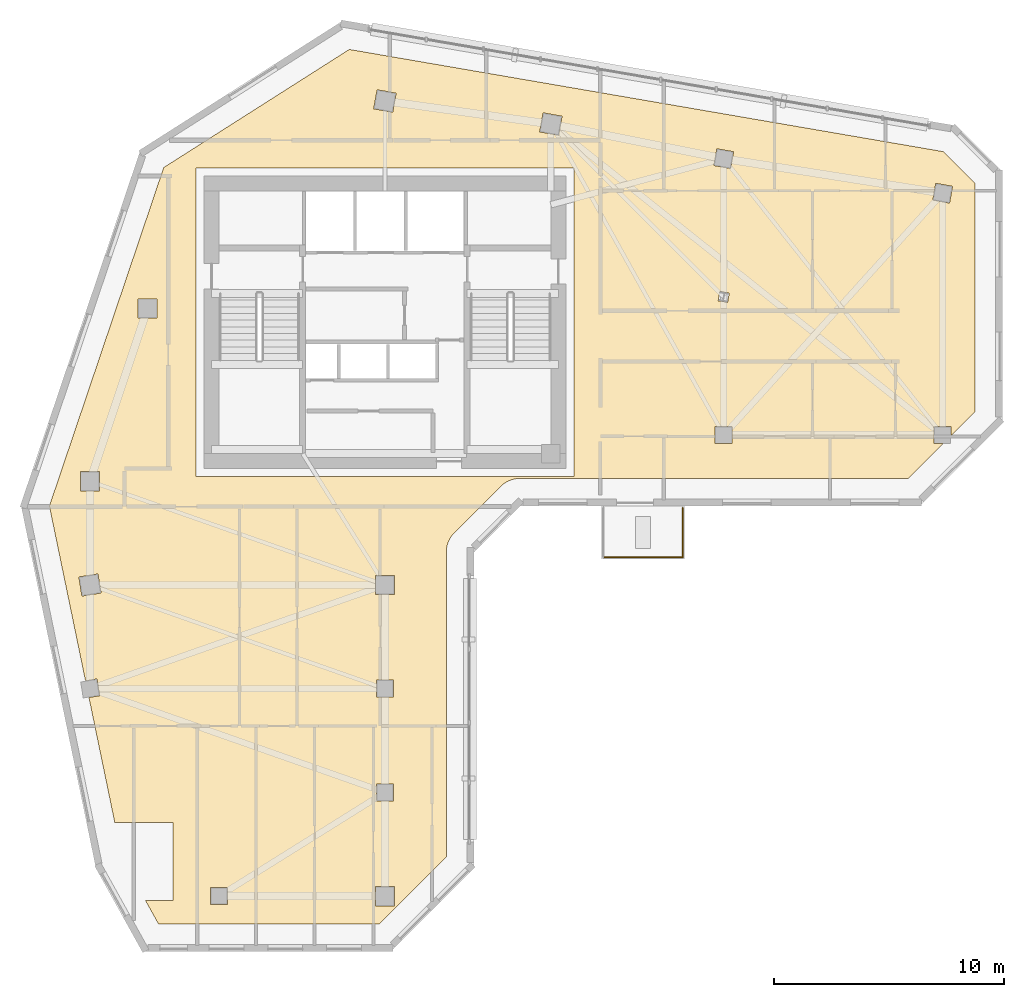
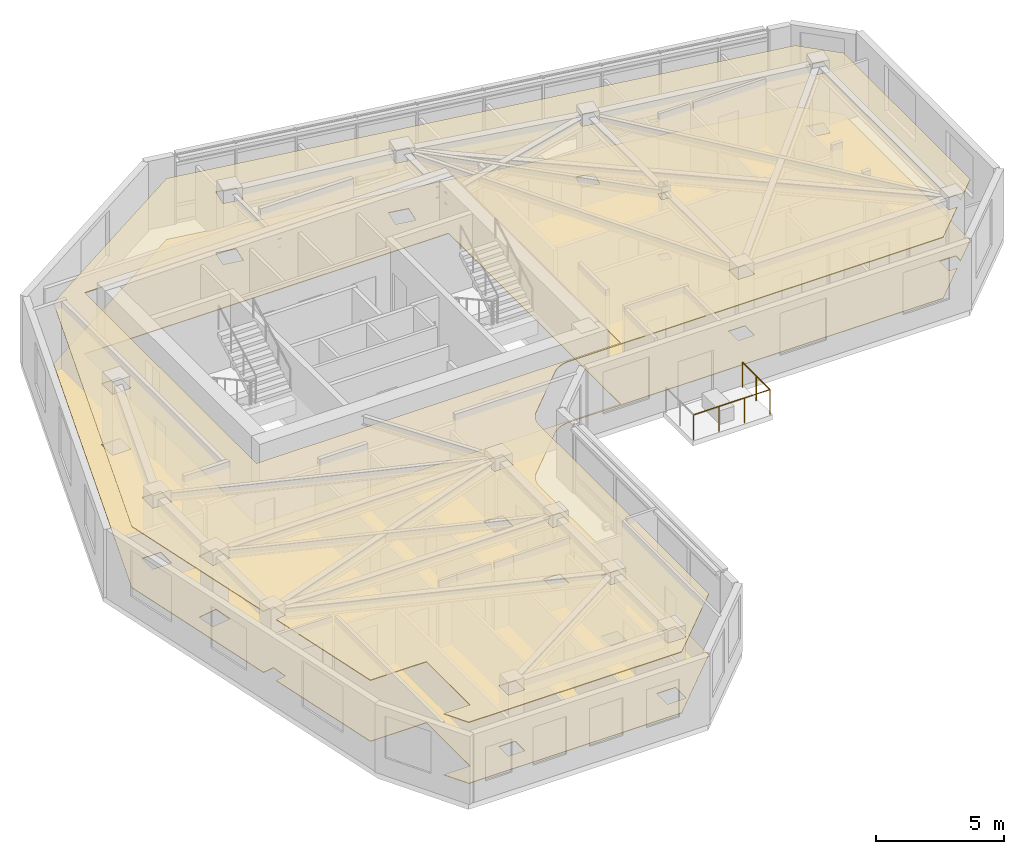
# One storey, part 10 of 11: 2 coverings, 2 railings.
"""IFC4 building model written with IfcOpenShell, lengths in metres."""

from ifc_helpers import new_model, si_unit, direction, frame, origin, origin_2d, place, context, subcontext, project, spatial, polyline, circle, outline, extrude, material, layer, layer_set, type_object, element, save


model = new_model("IFC4")

# Units and contexts
model_context = context("Model", 3, precision=1e-05, world=origin(), true_north=direction((0.0, 1.0)))
body_context = subcontext(model_context, "Body", "Model", "MODEL_VIEW")
ifc_project = project(units=[si_unit("LENGTHUNIT", "METRE"), si_unit("AREAUNIT", "SQUARE_METRE"), si_unit("VOLUMEUNIT", "CUBIC_METRE"), si_unit("PLANEANGLEUNIT", "RADIAN"), si_unit("MASSUNIT", "GRAM", prefix="KILO")], contexts=[model_context])

# Site, building, storey
site_placement = place(None, origin())
site = spatial("IfcSite", under=ifc_project, at=site_placement, CompositionType="ELEMENT")
building_placement = place(site_placement, origin())
building = spatial("IfcBuilding", under=site, at=building_placement, Name="Calvemar Wedge Station Tower", CompositionType="ELEMENT")
storey_placement = place(building_placement, frame((0.0, 0.0, 183.39990234375)))
storey = spatial("IfcBuildingStorey", under=building, at=storey_placement, Name="L45", CompositionType="ELEMENT", Elevation=183.39990234375)

# Coverings
ifc_material_1 = material(Name="Acoustic mineral fibre ceiling board")
ifc_layer_1 = layer(ifc_material_1, 0.0400390625)
ifc_layer_set_1 = layer_set([ifc_layer_1], Name="Acoustic mineral fibre ceiling board")
covering_type_1 = type_object("IfcCoveringType", Name="COV-CEIL-ACOUSTIC", PredefinedType="CEILING", material=ifc_layer_set_1)
covering_1_placement = place(storey_placement, frame((0.0, 0.0, 2.900146484375)))
element("IfcCovering", 1, at=covering_1_placement, inside=storey, type_object=covering_type_1, Name="Storey L45 Acoustic Suspended Ceiling", PredefinedType="CEILING", context=body_context, shape_type="SweptSolid", body=[
    extrude(outline(polyline([(26.8154296875, 30.7724609375), (28.8154296875, 32.7724609375), (28.902587890625, 32.8515625), (28.997314453125, 32.921875), (29.098388671875, 32.982421875), (29.204833984375, 33.03271484375), (29.315673828125, 33.072265625), (29.429931640625, 33.100830078125), (29.54638671875, 33.1181640625), (29.6640625, 33.1240234375), (46.5029296875, 33.1240234375), (48.0087890625, 34.6298828125), (47.6298828125, 34.6298828125), (47.6298828125, 35.3701171875), (48.3701171875, 35.3701171875), (48.3701171875, 34.9912109375), (49.39990234375, 36.02099609375), (49.39990234375, 45.927001953125), (48.02099609375, 47.305908203125), (22.25341796875, 51.73876953125), (14.201416015625, 46.614990234375), (9.240966796875, 31.92431640625), (10.806884765625, 24.34375), (11.306884765625, 24.423828125), (11.423828125, 23.693115234375), (10.956787109375, 23.618408203125), (12.076171875, 18.199951171875), (14.60009765625, 18.199951171875), (14.60009765625, 14.800048828125), (13.41455078125, 14.800048828125), (13.97021484375, 13.800048828125), (23.56689453125, 13.800048828125), (26.464111328125, 16.697021484375), (26.464111328125, 29.924072265625), (26.4697265625, 30.04150390625), (26.487060546875, 30.158203125), (26.515625, 30.272216796875), (26.555419921875, 30.38330078125), (26.605712890625, 30.48974609375), (26.666259765625, 30.5908203125), (26.736328125, 30.685302734375), (26.8154296875, 30.7724609375)]), holes=[polyline([(15.60009765625, 46.60009765625), (32.0, 46.60009765625), (32.0, 33.199951171875), (15.60009765625, 33.199951171875), (15.60009765625, 46.60009765625)]), polyline([(10.580078125, 32.580078125), (10.580078125, 33.419921875), (11.419921875, 33.419921875), (11.419921875, 32.580078125), (10.580078125, 32.580078125)]), polyline([(13.080078125, 40.919921875), (13.919921875, 40.919921875), (13.919921875, 40.080078125), (13.080078125, 40.080078125), (13.080078125, 40.919921875)]), polyline([(24.28759765625, 49.839111328125), (24.138916015625, 49.01220703125), (23.312255859375, 49.160888671875), (23.4609375, 49.98779296875), (24.28759765625, 49.839111328125)]), polyline([(31.339111328125, 48.01220703125), (30.51220703125, 48.160888671875), (30.660888671875, 48.98779296875), (31.48779296875, 48.839111328125), (31.339111328125, 48.01220703125)]), polyline([(38.0703125, 46.701416015625), (38.201416015625, 47.4296875), (38.9296875, 47.298583984375), (38.798583984375, 46.5703125), (38.0703125, 46.701416015625)]), polyline([(47.701416015625, 45.9296875), (48.4296875, 45.798583984375), (48.298583984375, 45.0703125), (47.5703125, 45.201416015625), (47.701416015625, 45.9296875)]), polyline([(38.8701171875, 35.3701171875), (38.8701171875, 34.6298828125), (38.1298828125, 34.6298828125), (38.1298828125, 35.3701171875), (38.8701171875, 35.3701171875)]), polyline([(38.259765625, 40.833984375), (38.332763671875, 41.239501953125), (38.740234375, 41.166015625), (38.667236328125, 40.760498046875), (38.259765625, 40.833984375)]), polyline([(11.348388671875, 28.981201171875), (11.481201171875, 28.151611328125), (10.651611328125, 28.018798828125), (10.518798828125, 28.848388671875), (11.348388671875, 28.981201171875)]), polyline([(24.219970703125, 28.080078125), (23.3798828125, 28.080078125), (23.3798828125, 28.919921875), (24.219970703125, 28.919921875), (24.219970703125, 28.080078125)]), polyline([(23.429931640625, 23.6298828125), (23.429931640625, 24.3701171875), (24.169921875, 24.3701171875), (24.169921875, 23.6298828125), (23.429931640625, 23.6298828125)]), polyline([(23.429931640625, 19.8701171875), (24.169921875, 19.8701171875), (24.169921875, 19.1298828125), (23.429931640625, 19.1298828125), (23.429931640625, 19.8701171875)]), polyline([(24.219970703125, 15.419921875), (24.219970703125, 14.580078125), (23.3798828125, 14.580078125), (23.3798828125, 15.419921875), (24.219970703125, 15.419921875)]), polyline([(16.969970703125, 14.6298828125), (16.22998046875, 14.6298828125), (16.22998046875, 15.3701171875), (16.969970703125, 15.3701171875), (16.969970703125, 14.6298828125)])]), origin(), (0.0, 0.0, 1.0), 0.0400390625),
])
ifc_material_2 = material(Name="Honed coastal granite stone tile", Category="masonry")
ifc_layer_2 = layer(ifc_material_2, 0.030029296875)
ifc_layer_set_2 = layer_set([ifc_layer_2], Name="Honed coastal granite stone tile")
covering_type_2 = type_object("IfcCoveringType", Name="COV-FLR-STONE", PredefinedType="FLOORING", material=ifc_layer_set_2)
covering_2_placement = place(storey_placement, origin())
element("IfcCovering", 2, at=covering_2_placement, inside=storey, type_object=covering_type_2, Name="Storey L45 Architectural Floor Finish", PredefinedType="FLOORING", context=body_context, shape_type="SweptSolid", body=[
    extrude(outline(polyline([(26.8154296875, 30.7724609375), (28.8154296875, 32.7724609375), (28.902587890625, 32.8515625), (28.997314453125, 32.921875), (29.098388671875, 32.982421875), (29.204833984375, 33.03271484375), (29.315673828125, 33.072265625), (29.429931640625, 33.100830078125), (29.54638671875, 33.1181640625), (29.6640625, 33.1240234375), (46.5029296875, 33.1240234375), (48.0087890625, 34.6298828125), (47.6298828125, 34.6298828125), (47.6298828125, 35.3701171875), (48.3701171875, 35.3701171875), (48.3701171875, 34.9912109375), (49.39990234375, 36.02099609375), (49.39990234375, 45.927001953125), (48.02099609375, 47.305908203125), (22.25341796875, 51.73876953125), (14.201416015625, 46.614990234375), (9.240966796875, 31.92431640625), (10.806884765625, 24.34375), (11.306884765625, 24.423828125), (11.423828125, 23.693115234375), (10.956787109375, 23.618408203125), (12.076171875, 18.199951171875), (14.60009765625, 18.199951171875), (14.60009765625, 14.800048828125), (13.41455078125, 14.800048828125), (13.97021484375, 13.800048828125), (23.56689453125, 13.800048828125), (26.464111328125, 16.697021484375), (26.464111328125, 29.924072265625), (26.4697265625, 30.04150390625), (26.487060546875, 30.158203125), (26.515625, 30.272216796875), (26.555419921875, 30.38330078125), (26.605712890625, 30.48974609375), (26.666259765625, 30.5908203125), (26.736328125, 30.685302734375), (26.8154296875, 30.7724609375)]), holes=[polyline([(15.60009765625, 46.60009765625), (32.0, 46.60009765625), (32.0, 33.199951171875), (15.60009765625, 33.199951171875), (15.60009765625, 46.60009765625)]), polyline([(10.580078125, 32.580078125), (10.580078125, 33.419921875), (11.419921875, 33.419921875), (11.419921875, 32.580078125), (10.580078125, 32.580078125)]), polyline([(13.080078125, 40.919921875), (13.919921875, 40.919921875), (13.919921875, 40.080078125), (13.080078125, 40.080078125), (13.080078125, 40.919921875)]), polyline([(24.28759765625, 49.839111328125), (24.138916015625, 49.01220703125), (23.312255859375, 49.160888671875), (23.4609375, 49.98779296875), (24.28759765625, 49.839111328125)]), polyline([(31.339111328125, 48.01220703125), (30.51220703125, 48.160888671875), (30.660888671875, 48.98779296875), (31.48779296875, 48.839111328125), (31.339111328125, 48.01220703125)]), polyline([(38.0703125, 46.701416015625), (38.201416015625, 47.4296875), (38.9296875, 47.298583984375), (38.798583984375, 46.5703125), (38.0703125, 46.701416015625)]), polyline([(47.701416015625, 45.9296875), (48.4296875, 45.798583984375), (48.298583984375, 45.0703125), (47.5703125, 45.201416015625), (47.701416015625, 45.9296875)]), polyline([(38.8701171875, 35.3701171875), (38.8701171875, 34.6298828125), (38.1298828125, 34.6298828125), (38.1298828125, 35.3701171875), (38.8701171875, 35.3701171875)]), polyline([(38.259765625, 40.833984375), (38.332763671875, 41.239501953125), (38.740234375, 41.166015625), (38.667236328125, 40.760498046875), (38.259765625, 40.833984375)]), polyline([(11.348388671875, 28.981201171875), (11.481201171875, 28.151611328125), (10.651611328125, 28.018798828125), (10.518798828125, 28.848388671875), (11.348388671875, 28.981201171875)]), polyline([(24.219970703125, 28.080078125), (23.3798828125, 28.080078125), (23.3798828125, 28.919921875), (24.219970703125, 28.919921875), (24.219970703125, 28.080078125)]), polyline([(23.429931640625, 23.6298828125), (23.429931640625, 24.3701171875), (24.169921875, 24.3701171875), (24.169921875, 23.6298828125), (23.429931640625, 23.6298828125)]), polyline([(23.429931640625, 19.8701171875), (24.169921875, 19.8701171875), (24.169921875, 19.1298828125), (23.429931640625, 19.1298828125), (23.429931640625, 19.8701171875)]), polyline([(24.219970703125, 15.419921875), (24.219970703125, 14.580078125), (23.3798828125, 14.580078125), (23.3798828125, 15.419921875), (24.219970703125, 15.419921875)]), polyline([(16.969970703125, 14.6298828125), (16.22998046875, 14.6298828125), (16.22998046875, 15.3701171875), (16.969970703125, 15.3701171875), (16.969970703125, 14.6298828125)])]), origin(), (0.0, 0.0, 1.0), 0.030029296875),
])

# Railings
ifc_material_3 = material(Name="Stainless steel AISI 316L", Category="steel")
railing_type = type_object("IfcRailingType", Name="GRD-TERR-1200", PredefinedType="GUARDRAIL", material=ifc_material_3)
railing_1_placement = place(storey_placement, frame((36.719970703125, 31.843994140625, 0.0)))
element("IfcRailing", 3, at=railing_1_placement, inside=storey, type_object=railing_type, Name="Storey L45 Spiral Terrace Guard 2", PredefinedType="GUARDRAIL", context=body_context, shape_type="SweptSolid", body=[
    extrude(circle(Radius=0.02392578125, at=origin_2d()), frame((0.0, 0.0, 1.17578125), z_axis=(0.0, -1.0, 0.0), x_axis=(1.0, 0.0, 0.0)), (0.0, 0.0, 1.0), 2.139892578125),
    extrude(circle(Radius=0.02099609375, at=origin_2d()), origin(), (0.0, 0.0, 1.0), 1.15185546875),
    extrude(circle(Radius=0.02099609375, at=origin_2d()), frame((0.0, -1.06982421875, 0.0)), (0.0, 0.0, 1.0), 1.15185546875),
    extrude(circle(Radius=0.02099609375, at=origin_2d()), frame((0.0, -2.139892578125, 0.0)), (0.0, 0.0, 1.0), 1.15185546875),
])
railing_2_placement = place(storey_placement, frame((36.719970703125, 29.7041015625, 0.0)))
element("IfcRailing", 4, at=railing_2_placement, inside=storey, type_object=railing_type, Name="Storey L45 Spiral Terrace Guard 3", PredefinedType="GUARDRAIL", context=body_context, shape_type="SweptSolid", body=[
    extrude(circle(Radius=0.02392578125, at=origin_2d()), frame((0.0, 0.0, 1.17578125), z_axis=(-1.0, 0.0, 0.0), x_axis=(0.0, -1.0, 0.0)), (0.0, 0.0, 1.0), 3.43994140625),
    extrude(circle(Radius=0.02099609375, at=origin_2d()), origin(), (0.0, 0.0, 1.0), 1.15185546875),
    extrude(circle(Radius=0.02099609375, at=origin_2d()), frame((-1.146728515625, 0.0, 0.0)), (0.0, 0.0, 1.0), 1.15185546875),
    extrude(circle(Radius=0.02099609375, at=origin_2d()), frame((-2.293212890625, 0.0, 0.0)), (0.0, 0.0, 1.0), 1.15185546875),
    extrude(circle(Radius=0.02099609375, at=origin_2d()), frame((-3.43994140625, 0.0, 0.0)), (0.0, 0.0, 1.0), 1.15185546875),
])

save(model, "model.ifc")
